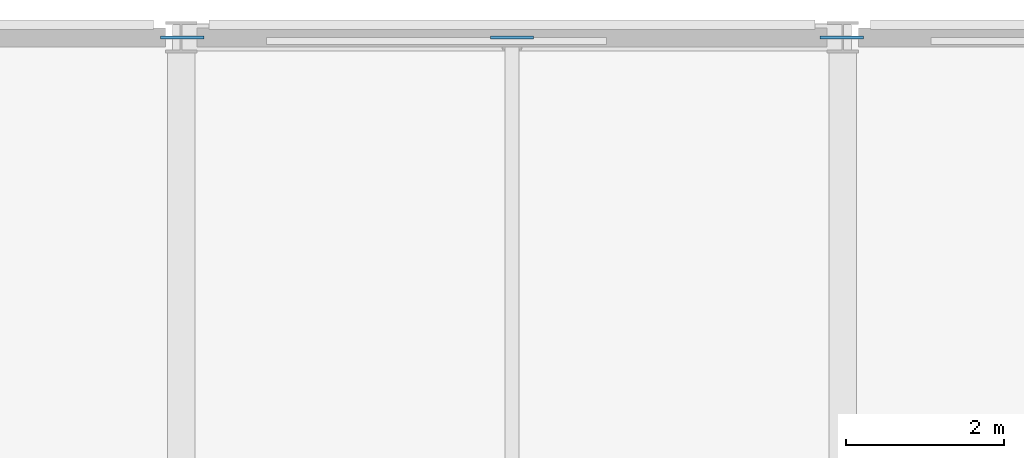
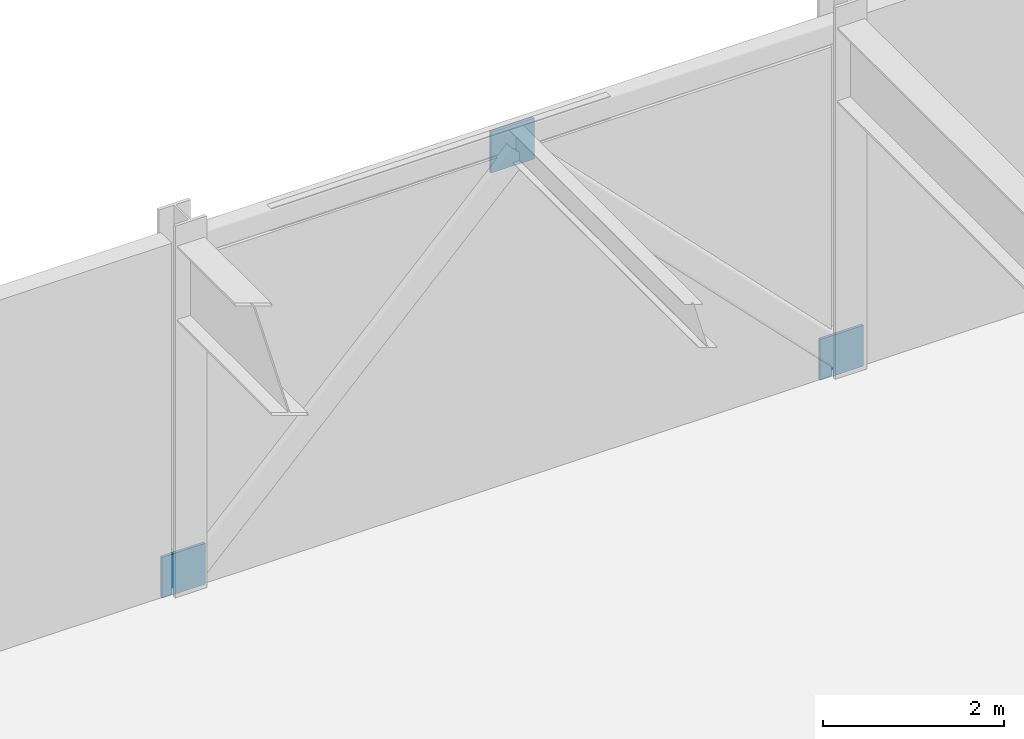
# One storey, part 4 of 10: 3 plates.
"""IFC4 building model written with IfcOpenShell, lengths in metres."""

from ifc_helpers import new_model, si_unit, direction, frame, origin, origin_2d, place, context, subcontext, project, spatial, rectangle, extrude, material, layer, layer_set, type_object, element, save


model = new_model("IFC4")

# Units and contexts
model_context = context("Model", 3, precision=1e-05, world=origin(), true_north=direction((0.0, 1.0)))
body_context = subcontext(model_context, "Body", "Model", "MODEL_VIEW")
ifc_project = project(units=[si_unit("LENGTHUNIT", "METRE"), si_unit("AREAUNIT", "SQUARE_METRE"), si_unit("VOLUMEUNIT", "CUBIC_METRE"), si_unit("PLANEANGLEUNIT", "RADIAN"), si_unit("MASSUNIT", "GRAM", prefix="KILO")], contexts=[model_context])

# Site, building, storey
site_placement = place(None, origin())
site = spatial("IfcSite", under=ifc_project, at=site_placement, CompositionType="ELEMENT")
building_placement = place(site_placement, origin())
building = spatial("IfcBuilding", under=site, at=building_placement, Name="Nerrivon Quay Data Exchange", CompositionType="ELEMENT")
storey_placement = place(building_placement, frame((0.0, 0.0, 162.300048828125)))
storey = spatial("IfcBuildingStorey", under=building, at=storey_placement, Name="L38", CompositionType="ELEMENT", Elevation=162.300048828125)

# Plates
ifc_material = material(Name="Steel Grade 350", Category="steel")
ifc_layer = layer(ifc_material, 0.031982421875)
ifc_layer_set = layer_set([ifc_layer], Name="Steel Grade 350")
plate_type = type_object("IfcPlateType", Name="PLT-KNB01", PredefinedType="USERDEFINED", material=ifc_layer_set)
for number, where, z_axis, x_axis, name in (
    (1, (8.41259765625, 50.39990234375, -0.09521484375), (0.0, 0.0, 1.0), (1.0, 0.0, 0.0), "L38 node plate 54"),
    (2, (12.60009765625, 50.39990234375, 4.16015625), (0.0, 0.0, 1.0), (1.0, 0.0, 0.0), "L38 node plate 55"),
    (3, (16.78759765625, 50.39990234375, -0.09521484375), (0.0, 0.0, 1.0), (1.0, 0.0, 0.0), "L38 node plate 56"),
):
    element("IfcPlate", number, at=place(storey_placement, frame(where, z_axis=z_axis, x_axis=x_axis)), inside=storey, type_object=plate_type, Name=name, ObjectType="GUSSET PLATE", PredefinedType="USERDEFINED", context=body_context, shape_type="SweptSolid", body=[
        extrude(rectangle(XDim=0.550048828125, YDim=0.035888671875, at=origin_2d()), origin(), (0.0, 0.0, 1.0), 0.550048828125),
    ])

save(model, "model.ifc")
